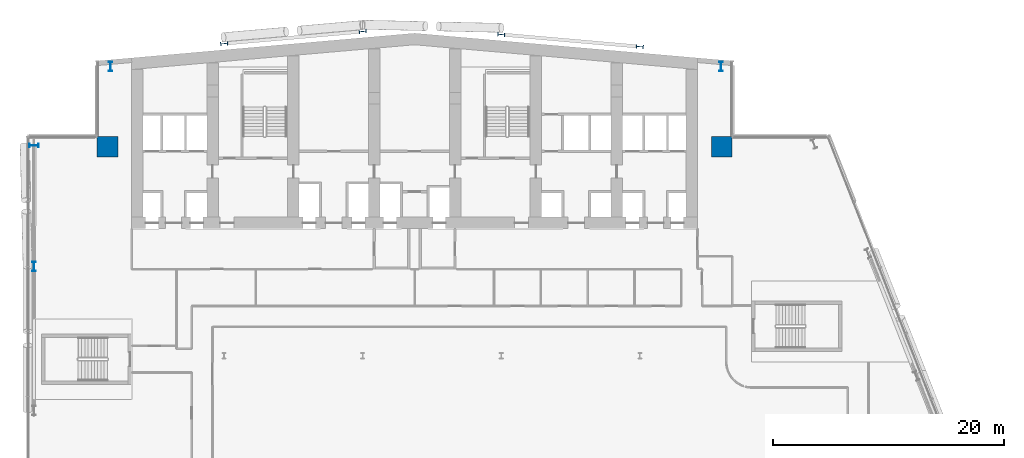
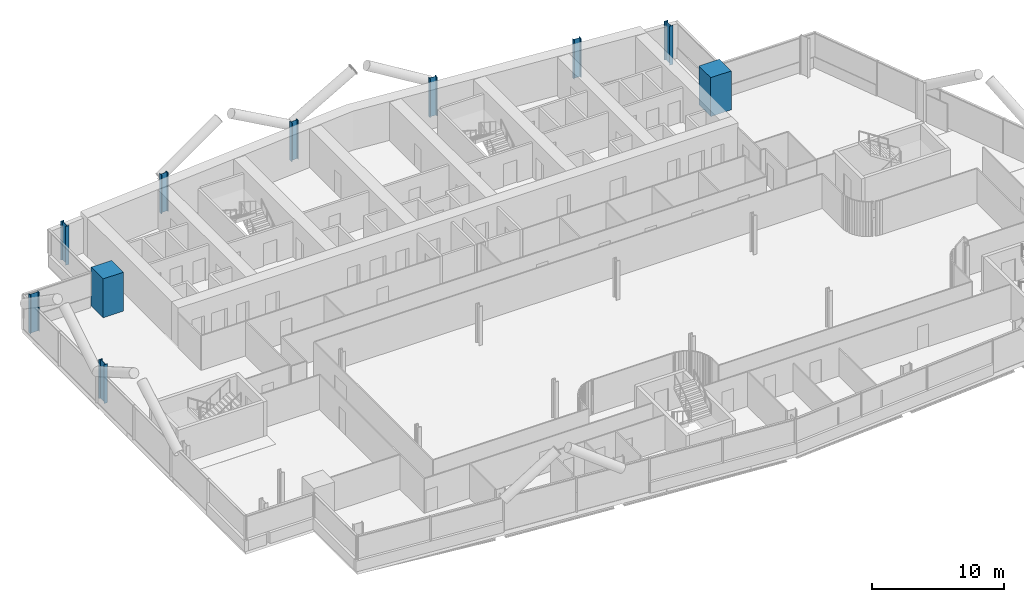
# One storey, part 3 of 30: 10 columns.
"""IFC4 building model written with IfcOpenShell, lengths in metres."""

from ifc_helpers import new_model, si_unit, direction, frame, origin, origin_2d, place, context, subcontext, project, spatial, rectangle, i_section, extrude, material, material_profile, profile_set, type_object, element, save


model = new_model("IFC4")

# Units and contexts
model_context = context("Model", 3, precision=1e-05, world=origin(), true_north=direction((0.0, 1.0)))
body_context = subcontext(model_context, "Body", "Model", "MODEL_VIEW")
ifc_project = project(units=[si_unit("LENGTHUNIT", "METRE"), si_unit("AREAUNIT", "SQUARE_METRE"), si_unit("VOLUMEUNIT", "CUBIC_METRE"), si_unit("PLANEANGLEUNIT", "RADIAN"), si_unit("MASSUNIT", "GRAM", prefix="KILO")], contexts=[model_context])

# Site, building, storey
site_placement = place(None, origin())
site = spatial("IfcSite", under=ifc_project, at=site_placement, CompositionType="ELEMENT")
building_placement = place(site_placement, origin())
building = spatial("IfcBuilding", under=site, at=building_placement, Name="Wharfspan Tower", CompositionType="ELEMENT")
storey_placement = place(building_placement, frame((0.0, 0.0, 100.300049)))
storey = spatial("IfcBuildingStorey", under=building, at=storey_placement, Name="L22", CompositionType="ELEMENT", Elevation=100.300049)

# Columns
ifc_material_1 = material(Name="Steel S355J2", Category="steel")
ifc_material_profile_1 = material_profile(ifc_material_1, i_section(OverallWidth=0.304932, OverallDepth=0.620117, WebThickness=0.020996, FlangeThickness=0.040039, FilletRadius=0.0271, at=origin_2d()))
ifc_profile_set_1 = profile_set([ifc_material_profile_1], Name="Steel S355J2")
column_type_1 = type_object("IfcColumnType", Name="Column HEM 600", PredefinedType="COLUMN", material=ifc_profile_set_1)
for number, where, z_axis, x_axis, name in (
    (1, (24.0, 50.027344, 0.0), (0.0, 0.0, 1.0), (-0.087156, 0.996198, 0.0), "Rear column R.1 L22"),
    (2, (36.0, 51.077148, 0.0), (0.0, 0.0, 1.0), (-0.087156, 0.996198, 0.0), "Rear column R.2 L22"),
    (3, (48.0, 50.814697, 0.0), (0.0, 0.0, 1.0), (0.087156, 0.996198, 0.0), "Rear column R.3 L22"),
    (4, (60.0, 49.764893, 0.0), (0.0, 0.0, 1.0), (0.087156, 0.996198, 0.0), "Rear column R.4 L22"),
):
    element("IfcColumn", number, at=place(storey_placement, frame(where, z_axis=z_axis, x_axis=x_axis)), inside=storey, type_object=column_type_1, Name=name, PredefinedType="COLUMN", context=body_context, shape_type="SweptSolid", body=[
        extrude(i_section(OverallWidth=0.304932, OverallDepth=0.620117, WebThickness=0.020996, FlangeThickness=0.040039, FilletRadius=0.0271, at=origin_2d()), origin(), (0.0, 0.0, 1.0), 3.599854),
    ])
ifc_material_profile_2 = material_profile(ifc_material_1, i_section(OverallWidth=0.302979, OverallDepth=0.813965, WebThickness=0.020996, FlangeThickness=0.040039, FilletRadius=0.030029, at=origin_2d()))
ifc_profile_set_2 = profile_set([ifc_material_profile_2], Name="Steel S355J2")
column_type_2 = type_object("IfcColumnType", Name="Column HEM 800", PredefinedType="COLUMN", material=ifc_profile_set_2)
for number, where, z_axis, x_axis, name in (
    (5, (67.031982, 48.035645, 0.0), (0.0, 0.0, 1.0), (1.0, 0.0, 0.0), "Perimeter column PNRE-V.1 L22"),
    (6, (14.171631, 48.03418, 0.0), (0.0, 0.0, 1.0), (-1.0, 0.0, 0.0), "Perimeter column PNRW-V.1 L22"),
    (7, (7.544434, 41.208008, 0.0), (0.0, 0.0, 1.0), (0.0, 1.0, 0.0), "Perimeter column PNRW-H.1 L22"),
    (8, (7.540039, 30.733398, 0.0), (0.0, 0.0, 1.0), (-1.0, 0.0, 0.0), "Perimeter column PW.1 L22"),
):
    element("IfcColumn", number, at=place(storey_placement, frame(where, z_axis=z_axis, x_axis=x_axis)), inside=storey, type_object=column_type_2, Name=name, PredefinedType="COLUMN", context=body_context, shape_type="SweptSolid", body=[
        extrude(i_section(OverallWidth=0.302979, OverallDepth=0.813965, WebThickness=0.020996, FlangeThickness=0.040039, FilletRadius=0.030029, at=origin_2d()), origin(), (0.0, 0.0, 1.0), 3.599854),
    ])
ifc_material_2 = material(Name="Concrete C70/85", Category="concrete")
ifc_material_profile_3 = material_profile(ifc_material_2, rectangle(XDim=1.800049, YDim=1.800049, at=origin_2d()))
ifc_profile_set_3 = profile_set([ifc_material_profile_3], Name="Concrete C70/85")
column_type_3 = type_object("IfcColumnType", Name="Mega column 1800 C70/85", PredefinedType="COLUMN", material=ifc_profile_set_3)
for number, where, z_axis, x_axis, name in (
    (9, (13.899902, 41.100098, 0.0), (0.0, 0.0, 1.0), (1.0, 0.0, 0.0), "Mega column MC2 L22"),
    (10, (67.100098, 41.100098, 0.0), (0.0, 0.0, 1.0), (1.0, 0.0, 0.0), "Mega column MC3 L22"),
):
    element("IfcColumn", number, at=place(storey_placement, frame(where, z_axis=z_axis, x_axis=x_axis)), inside=storey, type_object=column_type_3, Name=name, PredefinedType="COLUMN", context=body_context, shape_type="SweptSolid", body=[
        extrude(rectangle(XDim=1.800049, YDim=1.800049, at=origin_2d()), origin(), (0.0, 0.0, 1.0), 3.599854),
    ])

save(model, "model.ifc")
